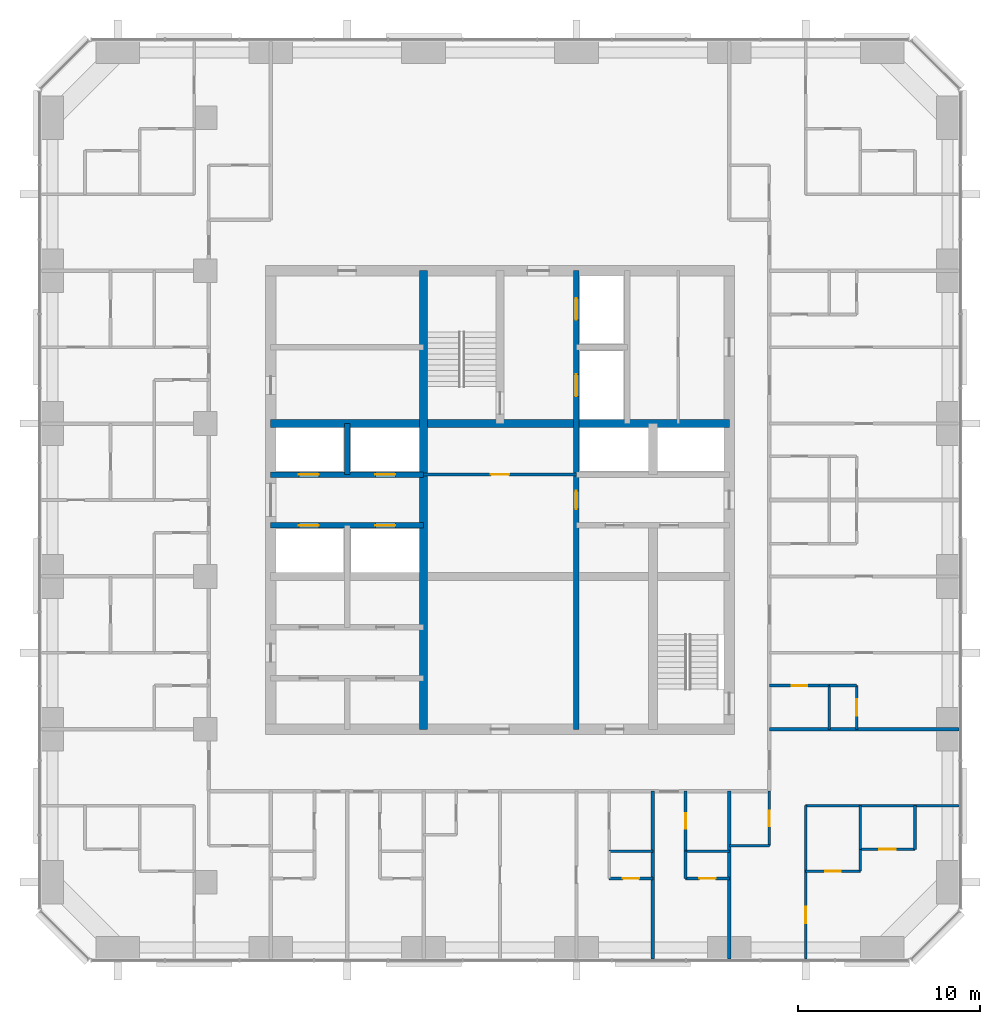
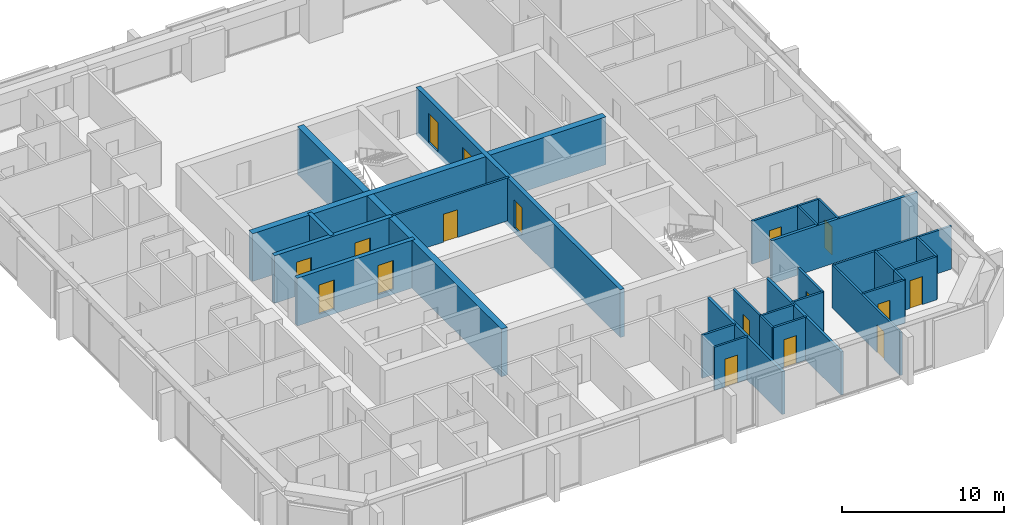
# One storey, part 10 of 14: 29 walls, 17 doors, 17 openings.
"""IFC4 building model written with IfcOpenShell, lengths in metres."""

from ifc_helpers import new_model, si_unit, direction, frame, frame_2d, origin, place, context, subcontext, project, spatial, rectangle, extrude, material, layer, layer_set, type_object, element, fill, save


model = new_model("IFC4")

# Units and contexts
model_context = context("Model", 3, precision=1e-05, world=origin(), true_north=direction((0.0, 1.0)))
body_context = subcontext(model_context, "Body", "Model", "MODEL_VIEW")
ifc_project = project(units=[si_unit("LENGTHUNIT", "METRE"), si_unit("AREAUNIT", "SQUARE_METRE"), si_unit("VOLUMEUNIT", "CUBIC_METRE"), si_unit("PLANEANGLEUNIT", "RADIAN"), si_unit("MASSUNIT", "GRAM", prefix="KILO")], contexts=[model_context])

# Site, building, storey
site_placement = place(None, origin())
site = spatial("IfcSite", under=ifc_project, at=site_placement, CompositionType="ELEMENT")
building_placement = place(site_placement, origin())
building = spatial("IfcBuilding", under=site, at=building_placement, Name="Dunama Terrace Hotel", CompositionType="ELEMENT")
storey_placement = place(building_placement, frame((0.0, 0.0, 202.199951171875)))
storey = spatial("IfcBuildingStorey", under=building, at=storey_placement, Name="L52", CompositionType="ELEMENT", Elevation=202.199951171875)

# Wall, opening, door
ifc_material_1 = material(Name="Gypsum board partition", Category="masonry")
ifc_layer_1 = layer(ifc_material_1, 0.14990234375)
ifc_layer_set_1 = layer_set([ifc_layer_1], Name="Bathroom partition 150")
wall_type_1 = type_object("IfcWallType", Name="Bathroom partition 150", PredefinedType="PARTITIONING", material=ifc_layer_set_1)
wall_1_placement = place(storey_placement, frame((39.60009765625, 10.10009765625, 0.0), z_axis=(0.0, 0.0, 1.0), x_axis=(0.0, 1.0, 0.0)))
wall_1 = element("IfcWall", 1, at=wall_1_placement, inside=storey, type_object=wall_type_1, Name="Bathroom partition 150 L52", PredefinedType="PARTITIONING", context=body_context, shape_type="SweptSolid", body=[
    extrude(rectangle(XDim=3.2998046875, YDim=0.14990234375, at=frame_2d((1.64990234375, 0.0))), origin(), (0.0, 0.0, 1.0), 3.25),
])
opening_1_placement = place(wall_1_placement, frame((1.22509765625, 0.0, 0.0)))
opening_1 = element("IfcOpeningElement", 2, at=opening_1_placement, cuts=wall_1, Name="Opening L51-52-022", PredefinedType="OPENING", context=body_context, shape_type="SweptSolid", body=[
    extrude(rectangle(XDim=0.85009765625, YDim=2.10009765625, at=frame_2d((0.425048828125, 1.050048828125))), frame((0.0, 0.0849609375, 0.0), z_axis=(0.0, -1.0, 0.0), x_axis=(1.0, 0.0, 0.0)), (0.0, 0.0, 1.0), 0.169921875),
])
ifc_material_2 = material(Name="Timber door with steel frame", Category="steel")
door_type_1 = type_object("IfcDoorType", Name="Bathroom door 850", OperationType="SINGLE_SWING_LEFT", PredefinedType="DOOR", material=ifc_material_2)
door_1_placement = place(opening_1_placement, frame((0.85009765625, 0.0, 0.0), z_axis=(0.0, 0.0, 1.0), x_axis=(-1.0, 0.0, 0.0)))
door_1 = element("IfcDoor", 3, at=door_1_placement, inside=storey, type_object=door_type_1, Name="Door to en-suite bathroom L51-52-022, type D2", OperationType="SINGLE_SWING_LEFT", OverallHeight=2.10009765625, OverallWidth=0.85009765625, PredefinedType="DOOR", context=body_context, shape_type="SweptSolid", body=[
    extrude(rectangle(XDim=0.85009765625, YDim=2.10009765625, at=frame_2d((0.425048828125, 1.050048828125))), frame((0.0, 0.025146484375, 0.0), z_axis=(0.0, -1.0, 0.0), x_axis=(1.0, 0.0, 0.0)), (0.0, 0.0, 1.0), 0.050048828125),
])
fill(opening_1, door_1)

wall_2_placement = place(storey_placement, frame((44.199951171875, 10.39990234375, 0.0), z_axis=(0.0, 0.0, 1.0), x_axis=(0.0, 1.0, 0.0)))
wall_2 = element("IfcWall", 4, at=wall_2_placement, inside=storey, type_object=wall_type_1, Name="Bathroom partition 150 L52", PredefinedType="PARTITIONING", context=body_context, shape_type="SweptSolid", body=[
    extrude(rectangle(XDim=3.0, YDim=0.14990234375, at=frame_2d((1.5, 0.0))), origin(), (0.0, 0.0, 1.0), 3.25),
])
opening_2_placement = place(wall_2_placement, frame((1.074951171875, 0.0, 0.0)))
opening_2 = element("IfcOpeningElement", 5, at=opening_2_placement, cuts=wall_2, Name="Opening L51-52-059", PredefinedType="OPENING", context=body_context, shape_type="SweptSolid", body=[
    extrude(rectangle(XDim=0.85009765625, YDim=2.10009765625, at=frame_2d((0.425048828125, 1.050048828125))), frame((0.0, 0.0849609375, 0.0), z_axis=(0.0, -1.0, 0.0), x_axis=(1.0, 0.0, 0.0)), (0.0, 0.0, 1.0), 0.169921875),
])
door_2_placement = place(opening_2_placement, origin())
door_2 = element("IfcDoor", 6, at=door_2_placement, inside=storey, type_object=door_type_1, Name="Door to powder room L51-52-059, type D2", OperationType="SINGLE_SWING_RIGHT", OverallHeight=2.10009765625, OverallWidth=0.85009765625, PredefinedType="DOOR", context=body_context, shape_type="SweptSolid", body=[
    extrude(rectangle(XDim=0.85009765625, YDim=2.10009765625, at=frame_2d((0.425048828125, 1.050048828125))), frame((0.0, 0.02490234375, 0.0), z_axis=(0.0, -1.0, 0.0), x_axis=(1.0, 0.0, 0.0)), (0.0, 0.0, 1.0), 0.050048828125),
])
fill(opening_2, door_2)

# Wall
wall_3_placement = place(storey_placement, frame((49.199951171875, 9.0, 0.0), z_axis=(0.0, 0.0, 1.0), x_axis=(0.0, 1.0, 0.0)))
element("IfcWall", 7, at=wall_3_placement, inside=storey, type_object=wall_type_1, Name="Bathroom partition 150 L52", PredefinedType="PARTITIONING", context=body_context, shape_type="SweptSolid", body=[
    extrude(rectangle(XDim=1.199951171875, YDim=0.14990234375, at=frame_2d((0.60009765625, 0.0))), origin(), (0.0, 0.0, 1.0), 3.25),
])

# Wall, opening, door
wall_4_placement = place(storey_placement, frame((46.199951171875, 9.0, 0.0), z_axis=(0.0, 0.0, 1.0), x_axis=(1.0, 0.0, 0.0)))
wall_4 = element("IfcWall", 8, at=wall_4_placement, inside=storey, type_object=wall_type_1, Name="Bathroom partition 150 L52", PredefinedType="PARTITIONING", context=body_context, shape_type="SweptSolid", body=[
    extrude(rectangle(XDim=3.0, YDim=0.14990234375, at=frame_2d((1.5, 0.0))), origin(), (0.0, 0.0, 1.0), 3.25),
])
opening_3_placement = place(wall_4_placement, frame((1.074951171875, 0.0, 0.0)))
opening_3 = element("IfcOpeningElement", 9, at=opening_3_placement, cuts=wall_4, Name="Opening L51-52-061", PredefinedType="OPENING", context=body_context, shape_type="SweptSolid", body=[
    extrude(rectangle(XDim=0.85009765625, YDim=2.10009765625, at=frame_2d((0.425048828125, 1.050048828125))), frame((0.0, 0.0849609375, 0.0), z_axis=(0.0, -1.0, 0.0), x_axis=(1.0, 0.0, 0.0)), (0.0, 0.0, 1.0), 0.169921875),
])
door_3_placement = place(opening_3_placement, origin())
door_3 = element("IfcDoor", 10, at=door_3_placement, inside=storey, type_object=door_type_1, Name="Door to en-suite bathroom L51-52-061, type D2", OperationType="SINGLE_SWING_RIGHT", OverallHeight=2.10009765625, OverallWidth=0.85009765625, PredefinedType="DOOR", context=body_context, shape_type="SweptSolid", body=[
    extrude(rectangle(XDim=0.85009765625, YDim=2.10009765625, at=frame_2d((0.425048828125, 1.050048828125))), frame((0.0, 0.02490234375, 0.0), z_axis=(0.0, -1.0, 0.0), x_axis=(1.0, 0.0, 0.0)), (0.0, 0.0, 1.0), 0.050048828125),
])
fill(opening_3, door_3)

# Wall
wall_5_placement = place(storey_placement, frame((42.0, 10.39990234375, 0.0), z_axis=(0.0, 0.0, 1.0), x_axis=(1.0, 0.0, 0.0)))
element("IfcWall", 11, at=wall_5_placement, inside=storey, type_object=wall_type_1, Name="Bathroom partition 150 L52", PredefinedType="PARTITIONING", context=body_context, shape_type="SweptSolid", body=[
    extrude(rectangle(XDim=2.199951171875, YDim=0.14990234375, at=frame_2d((1.10009765625, 0.0))), origin(), (0.0, 0.0, 1.0), 3.25),
])

# Wall, opening, door
wall_6_placement = place(storey_placement, frame((44.199951171875, 19.199951171875, 0.0), z_axis=(0.0, 0.0, 1.0), x_axis=(1.0, 0.0, 0.0)))
wall_6 = element("IfcWall", 12, at=wall_6_placement, inside=storey, type_object=wall_type_1, Name="Bathroom partition 150 L52", PredefinedType="PARTITIONING", context=body_context, shape_type="SweptSolid", body=[
    extrude(rectangle(XDim=3.300048828125, YDim=0.14990234375, at=frame_2d((1.64990234375, 0.0))), origin(), (0.0, 0.0, 1.0), 3.25),
])
opening_4_placement = place(wall_6_placement, frame((1.22509765625, 0.0, 0.0)))
opening_4 = element("IfcOpeningElement", 13, at=opening_4_placement, cuts=wall_6, Name="Opening L51-52-026", PredefinedType="OPENING", context=body_context, shape_type="SweptSolid", body=[
    extrude(rectangle(XDim=0.85009765625, YDim=2.10009765625, at=frame_2d((0.425048828125, 1.050048828125))), frame((0.0, 0.0849609375, 0.0), z_axis=(0.0, -1.0, 0.0), x_axis=(1.0, 0.0, 0.0)), (0.0, 0.0, 1.0), 0.169921875),
])
door_4_placement = place(opening_4_placement, frame((0.85009765625, 0.0, 0.0), z_axis=(0.0, 0.0, 1.0), x_axis=(-1.0, 0.0, 0.0)))
door_4 = element("IfcDoor", 14, at=door_4_placement, inside=storey, type_object=door_type_1, Name="Door to en-suite bathroom L51-52-026, type D2", OperationType="SINGLE_SWING_RIGHT", OverallHeight=2.10009765625, OverallWidth=0.85009765625, PredefinedType="DOOR", context=body_context, shape_type="SweptSolid", body=[
    extrude(rectangle(XDim=0.85009765625, YDim=2.10009765625, at=frame_2d((0.425048828125, 1.050048828125))), frame((0.0, 0.025146484375, 0.0), z_axis=(0.0, -1.0, 0.0), x_axis=(1.0, 0.0, 0.0)), (0.0, 0.0, 1.0), 0.050048828125),
])
fill(opening_4, door_4)

# Wall
ifc_material_3 = material(Name="Concrete C50/60", Category="concrete")
ifc_layer_2 = layer(ifc_material_3, 0.300048828125)
ifc_layer_set_2 = layer_set([ifc_layer_2], Name="Core inner wall 300")
wall_type_2 = type_object("IfcWallType", Name="Core inner wall 300", PredefinedType="SHEAR", material=ifc_layer_set_2)
wall_7_placement = place(storey_placement, frame((21.0, 30.800048828125, -0.349853515625), z_axis=(0.0, 0.0, 1.0), x_axis=(0.0, 1.0, 0.0)))
element("IfcWall", 15, at=wall_7_placement, inside=storey, type_object=wall_type_2, Name="Core inner wall 300 L52", PredefinedType="SHEAR", context=body_context, shape_type="SweptSolid", body=[
    extrude(rectangle(XDim=2.800048828125, YDim=0.300048828125, at=frame_2d((1.39990234375, 0.0))), origin(), (0.0, 0.0, 1.0), 3.599853515625),
])

# Wall, openings, doors
wall_8_placement = place(storey_placement, frame((33.60009765625, 16.800048828125, -0.349853515625), z_axis=(0.0, 0.0, 1.0), x_axis=(0.0, 1.0, 0.0)))
wall_8 = element("IfcWall", 16, at=wall_8_placement, inside=storey, type_object=wall_type_2, Name="Core inner wall 300 L52", PredefinedType="SHEAR", context=body_context, shape_type="SweptSolid", body=[
    extrude(rectangle(XDim=25.199951171875, YDim=0.300048828125, at=frame_2d((12.60009765625, 0.0))), origin(), (0.0, 0.0, 1.0), 3.599853515625),
])
opening_5_placement = place(wall_8_placement, frame((22.5, 0.0, 0.35009765625)))
opening_5 = element("IfcOpeningElement", 17, at=opening_5_placement, cuts=wall_8, Name="Opening L51-52-007", PredefinedType="OPENING", context=body_context, shape_type="SweptSolid", body=[
    extrude(rectangle(XDim=1.199951171875, YDim=2.199951171875, at=frame_2d((0.60009765625, 1.10009765625))), frame((0.0, 0.159912109375, 0.0), z_axis=(0.0, -1.0, 0.0), x_axis=(1.0, 0.0, 0.0)), (0.0, 0.0, 1.0), 0.320068359375),
])
opening_6_placement = place(wall_8_placement, frame((18.300048828125, 0.0, 0.35009765625)))
opening_6 = element("IfcOpeningElement", 18, at=opening_6_placement, cuts=wall_8, Name="Opening L51-52-008", PredefinedType="OPENING", context=body_context, shape_type="SweptSolid", body=[
    extrude(rectangle(XDim=1.199951171875, YDim=2.199951171875, at=frame_2d((0.60009765625, 1.10009765625))), frame((0.0, 0.159912109375, 0.0), z_axis=(0.0, -1.0, 0.0), x_axis=(1.0, 0.0, 0.0)), (0.0, 0.0, 1.0), 0.320068359375),
])
opening_7_placement = place(wall_8_placement, frame((12.10009765625, 0.0, 0.35009765625)))
opening_7 = element("IfcOpeningElement", 19, at=opening_7_placement, cuts=wall_8, Name="Opening L51-52-081", PredefinedType="OPENING", context=body_context, shape_type="SweptSolid", body=[
    extrude(rectangle(XDim=1.0, YDim=2.10009765625, at=frame_2d((0.5, 1.050048828125))), frame((0.0, 0.159912109375, 0.0), z_axis=(0.0, -1.0, 0.0), x_axis=(1.0, 0.0, 0.0)), (0.0, 0.0, 1.0), 0.320068359375),
])
ifc_material_4 = material(Name="Stainless steel lift door", Category="steel")
door_type_2 = type_object("IfcDoorType", Name="Firefighting lift landing door 1200", OperationType="DOUBLE_DOOR_SLIDING", PredefinedType="DOOR", material=ifc_material_4)
door_5_placement = place(opening_5_placement, origin())
door_5 = element("IfcDoor", 20, at=door_5_placement, inside=storey, type_object=door_type_2, Name="Landing door FL1 L51-52-007, type LD2", OperationType="DOUBLE_DOOR_SLIDING", OverallHeight=2.199951171875, OverallWidth=1.199951171875, PredefinedType="DOOR", context=body_context, shape_type="SweptSolid", body=[
    extrude(rectangle(XDim=1.199951171875, YDim=2.199951171875, at=frame_2d((0.60009765625, 1.10009765625))), frame((0.0, 0.02490234375, 0.0), z_axis=(0.0, -1.0, 0.0), x_axis=(1.0, 0.0, 0.0)), (0.0, 0.0, 1.0), 0.050048828125),
])
fill(opening_5, door_5)
door_6_placement = place(opening_6_placement, origin())
door_6 = element("IfcDoor", 21, at=door_6_placement, inside=storey, type_object=door_type_2, Name="Landing door FL2 L51-52-008, type LD2", OperationType="DOUBLE_DOOR_SLIDING", OverallHeight=2.199951171875, OverallWidth=1.199951171875, PredefinedType="DOOR", context=body_context, shape_type="SweptSolid", body=[
    extrude(rectangle(XDim=1.199951171875, YDim=2.199951171875, at=frame_2d((0.60009765625, 1.10009765625))), frame((0.0, 0.02490234375, 0.0), z_axis=(0.0, -1.0, 0.0), x_axis=(1.0, 0.0, 0.0)), (0.0, 0.0, 1.0), 0.050048828125),
])
fill(opening_6, door_6)
ifc_material_5 = material(Name="Timber door with steel frame", Category="steel")
door_type_3 = type_object("IfcDoorType", Name="Service door 1000", OperationType="SINGLE_SWING_LEFT", PredefinedType="DOOR", material=ifc_material_5)
door_7_placement = place(opening_7_placement, origin())
door_7 = element("IfcDoor", 22, at=door_7_placement, inside=storey, type_object=door_type_3, Name="Door to housekeeping store L51-52-081, type D7", OperationType="SINGLE_SWING_LEFT", OverallHeight=2.10009765625, OverallWidth=1.0, PredefinedType="DOOR", context=body_context, shape_type="SweptSolid", body=[
    extrude(rectangle(XDim=1.0, YDim=2.10009765625, at=frame_2d((0.5, 1.050048828125))), frame((0.0, 0.02490234375, 0.0), z_axis=(0.0, -1.0, 0.0), x_axis=(1.0, 0.0, 0.0)), (0.0, 0.0, 1.0), 0.050048828125),
])
fill(opening_7, door_7)

wall_9_placement = place(storey_placement, frame((16.800048828125, 28.0, -0.349853515625), z_axis=(0.0, 0.0, 1.0), x_axis=(1.0, 0.0, 0.0)))
wall_9 = element("IfcWall", 23, at=wall_9_placement, inside=storey, type_object=wall_type_2, Name="Core inner wall 300 L52", PredefinedType="SHEAR", context=body_context, shape_type="SweptSolid", body=[
    extrude(rectangle(XDim=8.39990234375, YDim=0.300048828125, at=frame_2d((4.199951171875, 0.0))), origin(), (0.0, 0.0, 1.0), 3.599853515625),
])
opening_8_placement = place(wall_9_placement, frame((1.550048828125, 0.0, 0.35009765625)))
opening_8 = element("IfcOpeningElement", 24, at=opening_8_placement, cuts=wall_9, Name="Opening L51-52-003", PredefinedType="OPENING", context=body_context, shape_type="SweptSolid", body=[
    extrude(rectangle(XDim=1.10009765625, YDim=2.199951171875, at=frame_2d((0.550048828125, 1.10009765625))), frame((0.0, 0.159912109375, 0.0), z_axis=(0.0, -1.0, 0.0), x_axis=(1.0, 0.0, 0.0)), (0.0, 0.0, 1.0), 0.320068359375),
])
opening_9_placement = place(wall_9_placement, frame((5.75, 0.0, 0.35009765625)))
opening_9 = element("IfcOpeningElement", 25, at=opening_9_placement, cuts=wall_9, Name="Opening L51-52-004", PredefinedType="OPENING", context=body_context, shape_type="SweptSolid", body=[
    extrude(rectangle(XDim=1.10009765625, YDim=2.199951171875, at=frame_2d((0.550048828125, 1.10009765625))), frame((0.0, 0.159912109375, 0.0), z_axis=(0.0, -1.0, 0.0), x_axis=(1.0, 0.0, 0.0)), (0.0, 0.0, 1.0), 0.320068359375),
])
ifc_material_6 = material(Name="Stainless steel lift door", Category="steel")
door_type_4 = type_object("IfcDoorType", Name="Lift landing door 1100", OperationType="DOUBLE_DOOR_SLIDING", PredefinedType="DOOR", material=ifc_material_6)
door_8_placement = place(opening_8_placement, origin())
door_8 = element("IfcDoor", 26, at=door_8_placement, inside=storey, type_object=door_type_4, Name="Landing door PC1 L51-52-003, type LD1", OperationType="DOUBLE_DOOR_SLIDING", OverallHeight=2.199951171875, OverallWidth=1.10009765625, PredefinedType="DOOR", context=body_context, shape_type="SweptSolid", body=[
    extrude(rectangle(XDim=1.10009765625, YDim=2.199951171875, at=frame_2d((0.550048828125, 1.10009765625))), frame((0.0, 0.02490234375, 0.0), z_axis=(0.0, -1.0, 0.0), x_axis=(1.0, 0.0, 0.0)), (0.0, 0.0, 1.0), 0.050048828125),
])
fill(opening_8, door_8)
door_9_placement = place(opening_9_placement, origin())
door_9 = element("IfcDoor", 27, at=door_9_placement, inside=storey, type_object=door_type_4, Name="Landing door PC2 L51-52-004, type LD1", OperationType="DOUBLE_DOOR_SLIDING", OverallHeight=2.199951171875, OverallWidth=1.10009765625, PredefinedType="DOOR", context=body_context, shape_type="SweptSolid", body=[
    extrude(rectangle(XDim=1.10009765625, YDim=2.199951171875, at=frame_2d((0.550048828125, 1.10009765625))), frame((0.0, 0.02490234375, 0.0), z_axis=(0.0, -1.0, 0.0), x_axis=(1.0, 0.0, 0.0)), (0.0, 0.0, 1.0), 0.050048828125),
])
fill(opening_9, door_9)

wall_10_placement = place(storey_placement, frame((16.800048828125, 30.800048828125, -0.349853515625), z_axis=(0.0, 0.0, 1.0), x_axis=(1.0, 0.0, 0.0)))
wall_10 = element("IfcWall", 28, at=wall_10_placement, inside=storey, type_object=wall_type_2, Name="Core inner wall 300 L52", PredefinedType="SHEAR", context=body_context, shape_type="SweptSolid", body=[
    extrude(rectangle(XDim=8.39990234375, YDim=0.300048828125, at=frame_2d((4.199951171875, 0.0))), origin(), (0.0, 0.0, 1.0), 3.599853515625),
])
opening_10_placement = place(wall_10_placement, frame((1.550048828125, 0.0, 0.35009765625)))
opening_10 = element("IfcOpeningElement", 29, at=opening_10_placement, cuts=wall_10, Name="Opening L51-52-005", PredefinedType="OPENING", context=body_context, shape_type="SweptSolid", body=[
    extrude(rectangle(XDim=1.10009765625, YDim=2.199951171875, at=frame_2d((0.550048828125, 1.10009765625))), frame((0.0, 0.159912109375, 0.0), z_axis=(0.0, -1.0, 0.0), x_axis=(1.0, 0.0, 0.0)), (0.0, 0.0, 1.0), 0.320068359375),
])
opening_11_placement = place(wall_10_placement, frame((5.75, 0.0, 0.35009765625)))
opening_11 = element("IfcOpeningElement", 30, at=opening_11_placement, cuts=wall_10, Name="Opening L51-52-006", PredefinedType="OPENING", context=body_context, shape_type="SweptSolid", body=[
    extrude(rectangle(XDim=1.10009765625, YDim=2.199951171875, at=frame_2d((0.550048828125, 1.10009765625))), frame((0.0, 0.159912109375, 0.0), z_axis=(0.0, -1.0, 0.0), x_axis=(1.0, 0.0, 0.0)), (0.0, 0.0, 1.0), 0.320068359375),
])
door_10_placement = place(opening_10_placement, origin())
door_10 = element("IfcDoor", 31, at=door_10_placement, inside=storey, type_object=door_type_4, Name="Landing door PC3 L51-52-005, type LD1", OperationType="DOUBLE_DOOR_SLIDING", OverallHeight=2.199951171875, OverallWidth=1.10009765625, PredefinedType="DOOR", context=body_context, shape_type="SweptSolid", body=[
    extrude(rectangle(XDim=1.10009765625, YDim=2.199951171875, at=frame_2d((0.550048828125, 1.10009765625))), frame((0.0, 0.02490234375, 0.0), z_axis=(0.0, -1.0, 0.0), x_axis=(1.0, 0.0, 0.0)), (0.0, 0.0, 1.0), 0.050048828125),
])
fill(opening_10, door_10)
door_11_placement = place(opening_11_placement, origin())
door_11 = element("IfcDoor", 32, at=door_11_placement, inside=storey, type_object=door_type_4, Name="Landing door PC4 L51-52-006, type LD1", OperationType="DOUBLE_DOOR_SLIDING", OverallHeight=2.199951171875, OverallWidth=1.10009765625, PredefinedType="DOOR", context=body_context, shape_type="SweptSolid", body=[
    extrude(rectangle(XDim=1.10009765625, YDim=2.199951171875, at=frame_2d((0.550048828125, 1.10009765625))), frame((0.0, 0.02490234375, 0.0), z_axis=(0.0, -1.0, 0.0), x_axis=(1.0, 0.0, 0.0)), (0.0, 0.0, 1.0), 0.050048828125),
])
fill(opening_11, door_11)

# Walls
ifc_material_7 = material(Name="Concrete C50/60", Category="concrete")
ifc_layer_3 = layer(ifc_material_7, 0.449951171875)
ifc_layer_set_3 = layer_set([ifc_layer_3], Name="Core inner wall 450")
wall_type_3 = type_object("IfcWallType", Name="Core inner wall 450", PredefinedType="SHEAR", material=ifc_layer_set_3)
for number, where, z_axis, x_axis, name in (
    (33, (25.199951171875, 16.800048828125, -0.349853515625), (0.0, 0.0, 1.0), (0.0, 1.0, 0.0), "Core inner wall 450 L52"),
    (34, (16.800048828125, 33.60009765625, -0.349853515625), (0.0, 0.0, 1.0), (1.0, 0.0, 0.0), "Core inner wall 450 L52"),
):
    element("IfcWall", number, at=place(storey_placement, frame(where, z_axis=z_axis, x_axis=x_axis)), inside=storey, type_object=wall_type_3, Name=name, PredefinedType="SHEAR", context=body_context, shape_type="SweptSolid", body=[
        extrude(rectangle(XDim=25.199951171875, YDim=0.449951171875, at=frame_2d((12.60009765625, 0.0))), origin(), (0.0, 0.0, 1.0), 3.599853515625),
    ])
ifc_material_8 = material(Name="Concrete blockwork", Category="masonry")
ifc_layer_4 = layer(ifc_material_8, 0.199951171875)
ifc_layer_set_4 = layer_set([ifc_layer_4], Name="Party wall 200")
wall_type_4 = type_object("IfcWallType", Name="Party wall 200", PredefinedType="PARTITIONING", material=ifc_layer_set_4)
for number, where, z_axis, x_axis, name in (
    (35, (37.800048828125, 4.181884765625, 0.0), (0.0, 0.0, 1.0), (0.0, 1.0, 0.0), "Party wall 200 L52"),
    (36, (42.0, 4.181884765625, 0.0), (0.0, 0.0, 1.0), (0.0, 1.0, 0.0), "Party wall 200 L52"),
):
    element("IfcWall", number, at=place(storey_placement, frame(where, z_axis=z_axis, x_axis=x_axis)), inside=storey, type_object=wall_type_4, Name=name, PredefinedType="PARTITIONING", context=body_context, shape_type="SweptSolid", body=[
        extrude(rectangle(XDim=9.218017578125, YDim=0.199951171875, at=frame_2d((4.60888671875, 0.0))), origin(), (0.0, 0.0, 1.0), 3.25),
    ])
wall_11_placement = place(storey_placement, frame((44.199951171875, 16.800048828125, 0.0), z_axis=(0.0, 0.0, 1.0), x_axis=(1.0, 0.0, 0.0)))
element("IfcWall", 37, at=wall_11_placement, inside=storey, type_object=wall_type_4, Name="Party wall 200 L52", PredefinedType="PARTITIONING", context=body_context, shape_type="SweptSolid", body=[
    extrude(rectangle(XDim=10.41796875, YDim=0.199951171875, at=frame_2d((5.208984375, 0.0))), origin(), (0.0, 0.0, 1.0), 3.25),
])
ifc_material_9 = material(Name="Gypsum board partition", Category="masonry")
ifc_layer_5 = layer(ifc_material_9, 0.14990234375)
ifc_layer_set_5 = layer_set([ifc_layer_5], Name="Room partition 150")
wall_type_5 = type_object("IfcWallType", Name="Room partition 150", PredefinedType="PARTITIONING", material=ifc_layer_set_5)
wall_12_placement = place(storey_placement, frame((39.60009765625, 8.60009765625, 0.0), z_axis=(0.0, 0.0, 1.0), x_axis=(0.0, 1.0, 0.0)))
element("IfcWall", 38, at=wall_12_placement, inside=storey, type_object=wall_type_5, Name="Room partition 150 L52", PredefinedType="PARTITIONING", context=body_context, shape_type="SweptSolid", body=[
    extrude(rectangle(XDim=1.5, YDim=0.14990234375, at=frame_2d((0.75, 0.0))), origin(), (0.0, 0.0, 1.0), 3.25),
])

# Wall, opening, door
wall_13_placement = place(storey_placement, frame((46.199951171875, 4.181884765625, 0.0), z_axis=(0.0, 0.0, 1.0), x_axis=(0.0, 1.0, 0.0)))
wall_13 = element("IfcWall", 39, at=wall_13_placement, inside=storey, type_object=wall_type_5, Name="Room partition 150 L52", PredefinedType="PARTITIONING", context=body_context, shape_type="SweptSolid", body=[
    extrude(rectangle(XDim=8.418212890625, YDim=0.14990234375, at=frame_2d((4.208984375, 0.0))), origin(), (0.0, 0.0, 1.0), 3.25),
])
opening_12_placement = place(wall_13_placement, frame((1.968017578125, 0.0, 0.0)))
opening_12 = element("IfcOpeningElement", 40, at=opening_12_placement, cuts=wall_13, Name="Opening L51-52-060", PredefinedType="OPENING", context=body_context, shape_type="SweptSolid", body=[
    extrude(rectangle(XDim=0.89990234375, YDim=2.10009765625, at=frame_2d((0.449951171875, 1.050048828125))), frame((0.0, 0.0849609375, 0.0), z_axis=(0.0, -1.0, 0.0), x_axis=(1.0, 0.0, 0.0)), (0.0, 0.0, 1.0), 0.169921875),
])
ifc_material_10 = material(Name="Timber door with steel frame", Category="steel")
door_type_5 = type_object("IfcDoorType", Name="Suite internal door 900", OperationType="SINGLE_SWING_LEFT", PredefinedType="DOOR", material=ifc_material_10)
door_12_placement = place(opening_12_placement, frame((0.89990234375, 0.0, 0.0), z_axis=(0.0, 0.0, 1.0), x_axis=(-1.0, 0.0, 0.0)))
door_12 = element("IfcDoor", 41, at=door_12_placement, inside=storey, type_object=door_type_5, Name="Door to corner suite bedroom L51-52-060, type D16", OperationType="SINGLE_SWING_LEFT", OverallHeight=2.10009765625, OverallWidth=0.89990234375, PredefinedType="DOOR", context=body_context, shape_type="SweptSolid", body=[
    extrude(rectangle(XDim=0.89990234375, YDim=2.10009765625, at=frame_2d((0.449951171875, 1.050048828125))), frame((0.0, 0.025146484375, 0.0), z_axis=(0.0, -1.0, 0.0), x_axis=(1.0, 0.0, 0.0)), (0.0, 0.0, 1.0), 0.050048828125),
])
fill(opening_12, door_12)

# Wall
wall_14_placement = place(storey_placement, frame((47.5, 16.800048828125, 0.0), z_axis=(0.0, 0.0, 1.0), x_axis=(0.0, 1.0, 0.0)))
element("IfcWall", 42, at=wall_14_placement, inside=storey, type_object=wall_type_5, Name="Room partition 150 L52", PredefinedType="PARTITIONING", context=body_context, shape_type="SweptSolid", body=[
    extrude(rectangle(XDim=2.39990234375, YDim=0.14990234375, at=frame_2d((1.199951171875, 0.0))), origin(), (0.0, 0.0, 1.0), 3.25),
])

# Wall, opening, door
wall_15_placement = place(storey_placement, frame((49.0, 16.800048828125, 0.0), z_axis=(0.0, 0.0, 1.0), x_axis=(0.0, 1.0, 0.0)))
wall_15 = element("IfcWall", 43, at=wall_15_placement, inside=storey, type_object=wall_type_5, Name="Room partition 150 L52", PredefinedType="PARTITIONING", context=body_context, shape_type="SweptSolid", body=[
    extrude(rectangle(XDim=2.39990234375, YDim=0.14990234375, at=frame_2d((1.199951171875, 0.0))), origin(), (0.0, 0.0, 1.0), 3.25),
])
opening_13_placement = place(wall_15_placement, frame((0.75, 0.0, 0.0)))
opening_13 = element("IfcOpeningElement", 44, at=opening_13_placement, cuts=wall_15, Name="Opening L51-52-027", PredefinedType="OPENING", context=body_context, shape_type="SweptSolid", body=[
    extrude(rectangle(XDim=0.89990234375, YDim=2.10009765625, at=frame_2d((0.449951171875, 1.050048828125))), frame((0.0, 0.0849609375, 0.0), z_axis=(0.0, -1.0, 0.0), x_axis=(1.0, 0.0, 0.0)), (0.0, 0.0, 1.0), 0.169921875),
])
door_13_placement = place(opening_13_placement, origin())
door_13 = element("IfcDoor", 45, at=door_13_placement, inside=storey, type_object=door_type_5, Name="Door to walk-in wardrobe L51-52-027, type D16", OperationType="SINGLE_SWING_LEFT", OverallHeight=2.10009765625, OverallWidth=0.89990234375, PredefinedType="DOOR", context=body_context, shape_type="SweptSolid", body=[
    extrude(rectangle(XDim=0.89990234375, YDim=2.10009765625, at=frame_2d((0.449951171875, 1.050048828125))), frame((0.0, 0.02490234375, 0.0), z_axis=(0.0, -1.0, 0.0), x_axis=(1.0, 0.0, 0.0)), (0.0, 0.0, 1.0), 0.050048828125),
])
fill(opening_13, door_13)

# Walls
for number, where, z_axis, x_axis, name in (
    (46, (49.199951171875, 10.199951171875, 0.0), (0.0, 0.0, 1.0), (0.0, 1.0, 0.0), "Room partition 150 L52"),
    (47, (52.199951171875, 10.199951171875, 0.0), (0.0, 0.0, 1.0), (0.0, 1.0, 0.0), "Room partition 150 L52"),
):
    element("IfcWall", number, at=place(storey_placement, frame(where, z_axis=z_axis, x_axis=x_axis)), inside=storey, type_object=wall_type_5, Name=name, PredefinedType="PARTITIONING", context=body_context, shape_type="SweptSolid", body=[
        extrude(rectangle(XDim=2.400146484375, YDim=0.14990234375, at=frame_2d((1.2001953125, 0.0))), origin(), (0.0, 0.0, 1.0), 3.25),
    ])

# Wall, opening, door
wall_16_placement = place(storey_placement, frame((35.39990234375, 8.60009765625, 0.0), z_axis=(0.0, 0.0, 1.0), x_axis=(1.0, 0.0, 0.0)))
wall_16 = element("IfcWall", 48, at=wall_16_placement, inside=storey, type_object=wall_type_5, Name="Room partition 150 L52", PredefinedType="PARTITIONING", context=body_context, shape_type="SweptSolid", body=[
    extrude(rectangle(XDim=2.400146484375, YDim=0.14990234375, at=frame_2d((1.2001953125, 0.0))), origin(), (0.0, 0.0, 1.0), 3.25),
])
opening_14_placement = place(wall_16_placement, frame((0.75, 0.0, 0.0)))
opening_14 = element("IfcOpeningElement", 49, at=opening_14_placement, cuts=wall_16, Name="Opening L51-52-020", PredefinedType="OPENING", context=body_context, shape_type="SweptSolid", body=[
    extrude(rectangle(XDim=0.89990234375, YDim=2.10009765625, at=frame_2d((0.449951171875, 1.050048828125))), frame((0.0, 0.0849609375, 0.0), z_axis=(0.0, -1.0, 0.0), x_axis=(1.0, 0.0, 0.0)), (0.0, 0.0, 1.0), 0.169921875),
])
door_14_placement = place(opening_14_placement, origin())
door_14 = element("IfcDoor", 50, at=door_14_placement, inside=storey, type_object=door_type_5, Name="Door to walk-in wardrobe L51-52-020, type D16", OperationType="SINGLE_SWING_LEFT", OverallHeight=2.10009765625, OverallWidth=0.89990234375, PredefinedType="DOOR", context=body_context, shape_type="SweptSolid", body=[
    extrude(rectangle(XDim=0.89990234375, YDim=2.10009765625, at=frame_2d((0.449951171875, 1.050048828125))), frame((0.0, 0.02490234375, 0.0), z_axis=(0.0, -1.0, 0.0), x_axis=(1.0, 0.0, 0.0)), (0.0, 0.0, 1.0), 0.050048828125),
])
fill(opening_14, door_14)

wall_17_placement = place(storey_placement, frame((39.60009765625, 8.60009765625, 0.0), z_axis=(0.0, 0.0, 1.0), x_axis=(1.0, 0.0, 0.0)))
wall_17 = element("IfcWall", 51, at=wall_17_placement, inside=storey, type_object=wall_type_5, Name="Room partition 150 L52", PredefinedType="PARTITIONING", context=body_context, shape_type="SweptSolid", body=[
    extrude(rectangle(XDim=2.39990234375, YDim=0.14990234375, at=frame_2d((1.199951171875, 0.0))), origin(), (0.0, 0.0, 1.0), 3.25),
])
opening_15_placement = place(wall_17_placement, frame((0.75, 0.0, 0.0)))
opening_15 = element("IfcOpeningElement", 52, at=opening_15_placement, cuts=wall_17, Name="Opening L51-52-023", PredefinedType="OPENING", context=body_context, shape_type="SweptSolid", body=[
    extrude(rectangle(XDim=0.89990234375, YDim=2.10009765625, at=frame_2d((0.449951171875, 1.050048828125))), frame((0.0, 0.0849609375, 0.0), z_axis=(0.0, -1.0, 0.0), x_axis=(1.0, 0.0, 0.0)), (0.0, 0.0, 1.0), 0.169921875),
])
door_15_placement = place(opening_15_placement, origin())
door_15 = element("IfcDoor", 53, at=door_15_placement, inside=storey, type_object=door_type_5, Name="Door to walk-in wardrobe L51-52-023, type D16", OperationType="SINGLE_SWING_LEFT", OverallHeight=2.10009765625, OverallWidth=0.89990234375, PredefinedType="DOOR", context=body_context, shape_type="SweptSolid", body=[
    extrude(rectangle(XDim=0.89990234375, YDim=2.10009765625, at=frame_2d((0.449951171875, 1.050048828125))), frame((0.0, 0.02490234375, 0.0), z_axis=(0.0, -1.0, 0.0), x_axis=(1.0, 0.0, 0.0)), (0.0, 0.0, 1.0), 0.050048828125),
])
fill(opening_15, door_15)

# Walls
wall_18_placement = place(storey_placement, frame((35.39990234375, 10.10009765625, 0.0), z_axis=(0.0, 0.0, 1.0), x_axis=(1.0, 0.0, 0.0)))
element("IfcWall", 54, at=wall_18_placement, inside=storey, type_object=wall_type_5, Name="Room partition 150 L52", PredefinedType="PARTITIONING", context=body_context, shape_type="SweptSolid", body=[
    extrude(rectangle(XDim=2.400146484375, YDim=0.14990234375, at=frame_2d((1.2001953125, 0.0))), origin(), (0.0, 0.0, 1.0), 3.25),
])
wall_19_placement = place(storey_placement, frame((39.60009765625, 10.10009765625, 0.0), z_axis=(0.0, 0.0, 1.0), x_axis=(1.0, 0.0, 0.0)))
element("IfcWall", 55, at=wall_19_placement, inside=storey, type_object=wall_type_5, Name="Room partition 150 L52", PredefinedType="PARTITIONING", context=body_context, shape_type="SweptSolid", body=[
    extrude(rectangle(XDim=2.39990234375, YDim=0.14990234375, at=frame_2d((1.199951171875, 0.0))), origin(), (0.0, 0.0, 1.0), 3.25),
])

# Wall, opening, door
wall_20_placement = place(storey_placement, frame((49.199951171875, 10.199951171875, 0.0), z_axis=(0.0, 0.0, 1.0), x_axis=(1.0, 0.0, 0.0)))
wall_20 = element("IfcWall", 56, at=wall_20_placement, inside=storey, type_object=wall_type_5, Name="Room partition 150 L52", PredefinedType="PARTITIONING", context=body_context, shape_type="SweptSolid", body=[
    extrude(rectangle(XDim=3.0, YDim=0.14990234375, at=frame_2d((1.5, 0.0))), origin(), (0.0, 0.0, 1.0), 3.25),
])
opening_16_placement = place(wall_20_placement, frame((1.050048828125, 0.0, 0.0)))
opening_16 = element("IfcOpeningElement", 57, at=opening_16_placement, cuts=wall_20, Name="Opening L51-52-062", PredefinedType="OPENING", context=body_context, shape_type="SweptSolid", body=[
    extrude(rectangle(XDim=0.89990234375, YDim=2.10009765625, at=frame_2d((0.449951171875, 1.050048828125))), frame((0.0, 0.0849609375, 0.0), z_axis=(0.0, -1.0, 0.0), x_axis=(1.0, 0.0, 0.0)), (0.0, 0.0, 1.0), 0.169921875),
])
door_16_placement = place(opening_16_placement, origin())
door_16 = element("IfcDoor", 58, at=door_16_placement, inside=storey, type_object=door_type_5, Name="Door to dressing room L51-52-062, type D16", OperationType="SINGLE_SWING_LEFT", OverallHeight=2.10009765625, OverallWidth=0.89990234375, PredefinedType="DOOR", context=body_context, shape_type="SweptSolid", body=[
    extrude(rectangle(XDim=0.89990234375, YDim=2.10009765625, at=frame_2d((0.449951171875, 1.050048828125))), frame((0.0, 0.02490234375, 0.0), z_axis=(0.0, -1.0, 0.0), x_axis=(1.0, 0.0, 0.0)), (0.0, 0.0, 1.0), 0.050048828125),
])
fill(opening_16, door_16)

# Walls
wall_21_placement = place(storey_placement, frame((46.199951171875, 12.60009765625, 0.0), z_axis=(0.0, 0.0, 1.0), x_axis=(1.0, 0.0, 0.0)))
element("IfcWall", 59, at=wall_21_placement, inside=storey, type_object=wall_type_5, Name="Room partition 150 L52", PredefinedType="PARTITIONING", context=body_context, shape_type="SweptSolid", body=[
    extrude(rectangle(XDim=8.41796875, YDim=0.14990234375, at=frame_2d((4.208984375, 0.0))), origin(), (0.0, 0.0, 1.0), 3.25),
])
wall_22_placement = place(storey_placement, frame((47.5, 19.199951171875, 0.0), z_axis=(0.0, 0.0, 1.0), x_axis=(1.0, 0.0, 0.0)))
element("IfcWall", 60, at=wall_22_placement, inside=storey, type_object=wall_type_5, Name="Room partition 150 L52", PredefinedType="PARTITIONING", context=body_context, shape_type="SweptSolid", body=[
    extrude(rectangle(XDim=1.5, YDim=0.14990234375, at=frame_2d((0.75, 0.0))), origin(), (0.0, 0.0, 1.0), 3.25),
])

# Wall, opening, door
wall_23_placement = place(storey_placement, frame((25.199951171875, 30.800048828125, 0.0), z_axis=(0.0, 0.0, 1.0), x_axis=(1.0, 0.0, 0.0)))
wall_23 = element("IfcWall", 61, at=wall_23_placement, inside=storey, type_object=wall_type_5, Name="Room partition 150 L52", PredefinedType="PARTITIONING", context=body_context, shape_type="SweptSolid", body=[
    extrude(rectangle(XDim=8.400146484375, YDim=0.14990234375, at=frame_2d((4.2001953125, 0.0))), origin(), (0.0, 0.0, 1.0), 3.25),
])
opening_17_placement = place(wall_23_placement, frame((3.699951171875, 0.0, 0.0)))
opening_17 = element("IfcOpeningElement", 62, at=opening_17_placement, cuts=wall_23, Name="Opening L51-52-082", PredefinedType="OPENING", context=body_context, shape_type="SweptSolid", body=[
    extrude(rectangle(XDim=1.0, YDim=2.10009765625, at=frame_2d((0.5, 1.050048828125))), frame((0.0, 0.0849609375, 0.0), z_axis=(0.0, -1.0, 0.0), x_axis=(1.0, 0.0, 0.0)), (0.0, 0.0, 1.0), 0.169921875),
])
door_17_placement = place(opening_17_placement, origin())
door_17 = element("IfcDoor", 63, at=door_17_placement, inside=storey, type_object=door_type_3, Name="Door to linen store L51-52-082, type D7", OperationType="SINGLE_SWING_LEFT", OverallHeight=2.10009765625, OverallWidth=1.0, PredefinedType="DOOR", context=body_context, shape_type="SweptSolid", body=[
    extrude(rectangle(XDim=1.0, YDim=2.10009765625, at=frame_2d((0.5, 1.050048828125))), frame((0.0, 0.02490234375, 0.0), z_axis=(0.0, -1.0, 0.0), x_axis=(1.0, 0.0, 0.0)), (0.0, 0.0, 1.0), 0.050048828125),
])
fill(opening_17, door_17)

save(model, "model.ifc")
